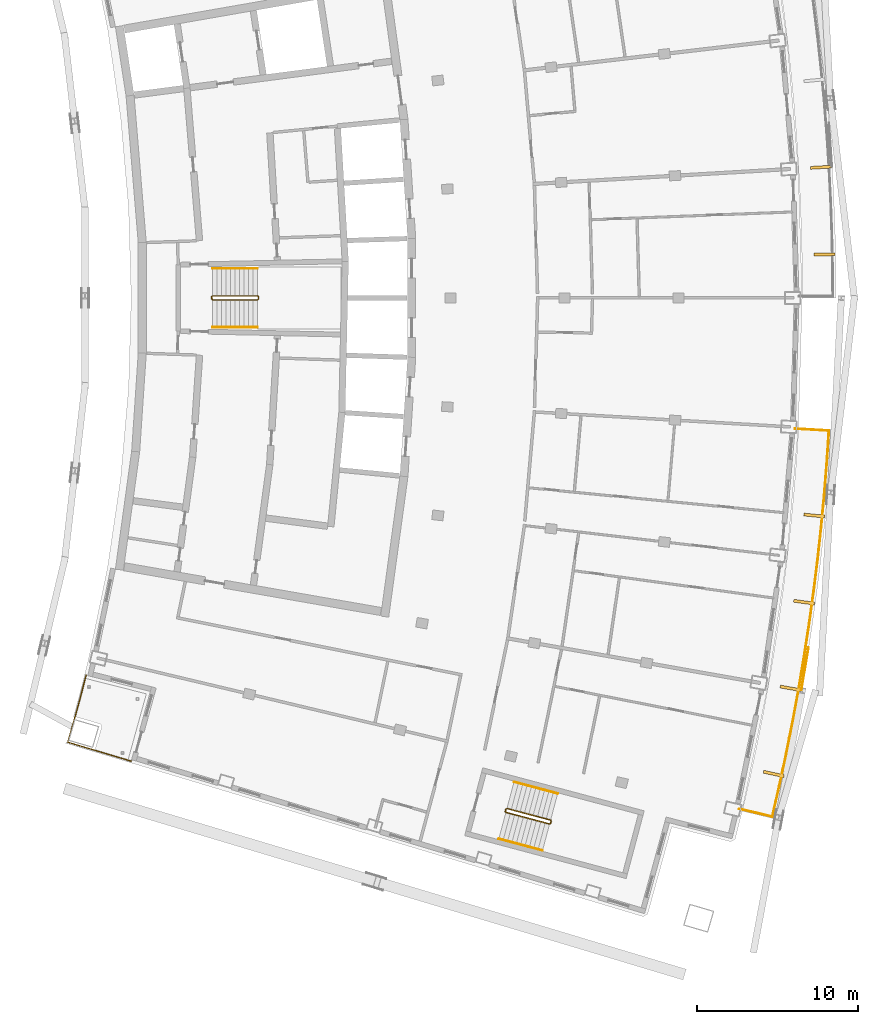
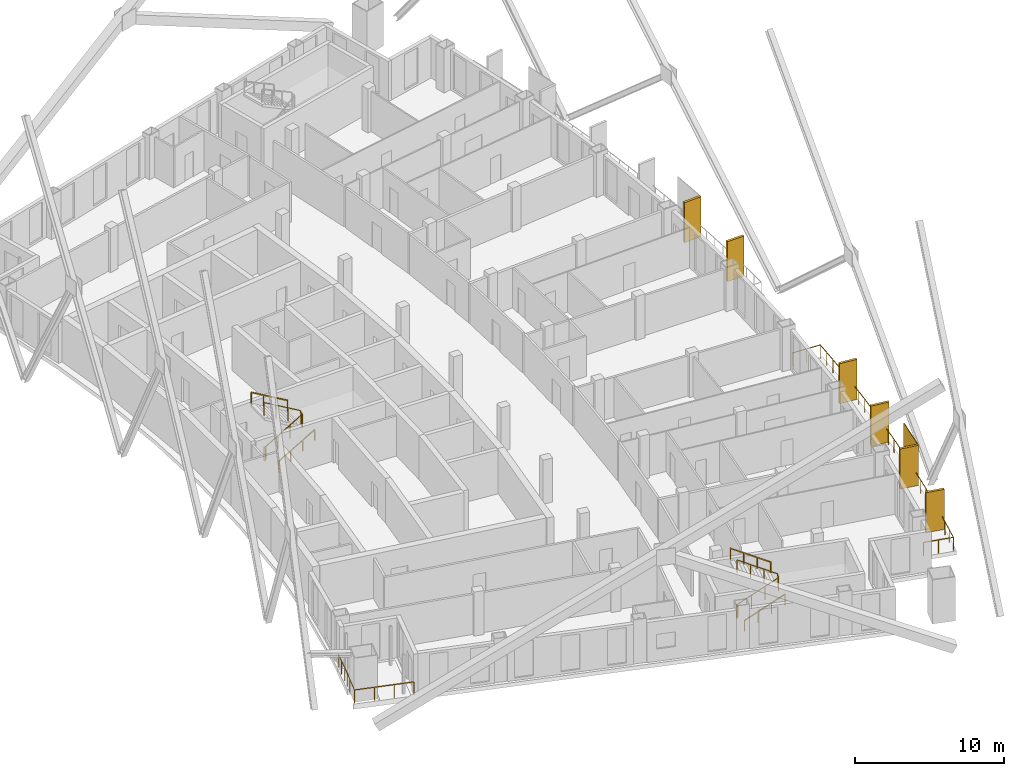
# One storey, part 15 of 16: 8 railings, 7 shading devices.
"""IFC4 building model written with IfcOpenShell, lengths in metres."""

from ifc_helpers import new_model, si_unit, direction, frame, origin, origin_with_axes, origin_2d, place, context, subcontext, project, spatial, rectangle, extrude, material, layer, layer_set, type_object, element, save


model = new_model("IFC4")

# Units and contexts
model_context = context("Model", 3, precision=1e-05, world=origin(), true_north=direction((0.0, 1.0)))
body_context = subcontext(model_context, "Body", "Model", "MODEL_VIEW")
ifc_project = project(units=[si_unit("LENGTHUNIT", "METRE"), si_unit("AREAUNIT", "SQUARE_METRE"), si_unit("VOLUMEUNIT", "CUBIC_METRE"), si_unit("PLANEANGLEUNIT", "RADIAN"), si_unit("MASSUNIT", "GRAM", prefix="KILO")], contexts=[model_context])

# Site, building, storey
site_placement = place(None, origin())
site = spatial("IfcSite", under=ifc_project, at=site_placement, CompositionType="ELEMENT")
building_placement = place(site_placement, origin())
building = spatial("IfcBuilding", under=site, at=building_placement, Name="Alderwake Tower", CompositionType="ELEMENT")
storey_placement = place(building_placement, frame((0.0, 0.0, 245.60009765625)))
storey = spatial("IfcBuildingStorey", under=building, at=storey_placement, Name="L60", CompositionType="ELEMENT", Elevation=245.60009765625)

# Railings
ifc_material_1 = material(Name="Stainless steel 316 rail and posts", Category="steel")
railing_type_1 = type_object("IfcRailingType", Name="Balcony guard 1100", PredefinedType="GUARDRAIL", material=ifc_material_1)
railing_1_placement = place(storey_placement, frame((53.69921875, 29.325927734375, 0.0)))
element("IfcRailing", 1, at=railing_1_placement, inside=storey, type_object=railing_type_1, Name="Guard BF03", PredefinedType="GUARDRAIL", context=body_context, shape_type="SweptSolid", body=[
    extrude(rectangle(XDim=0.048095703125, YDim=0.048095703125, at=origin_2d()), frame((0.0, 0.0, 1.076171875), z_axis=(0.973069996158, -0.230509831846, 0.0), x_axis=(0.230509831846, 0.973069996158, 0.0)), (0.0, 0.0, 1.0), 2.100341796875),
    extrude(rectangle(XDim=0.048095703125, YDim=0.048095703125, at=origin_2d()), frame((2.043701171875, -0.484130859375, 1.076171875), z_axis=(0.223633448533, 0.974673319988, 0.0), x_axis=(-0.974673319988, 0.223633448533, 0.0)), (0.0, 0.0, 1.0), 1.9345703125),
    extrude(rectangle(XDim=0.048095703125, YDim=0.048095703125, at=origin_2d()), frame((2.476318359375, 1.4013671875, 1.076171875), z_axis=(0.209897885741, 0.977723313398, 0.0), x_axis=(-0.977723313398, 0.209897885741, 0.0)), (0.0, 0.0, 1.0), 2.034423828125),
    extrude(rectangle(XDim=0.048095703125, YDim=0.048095703125, at=origin_2d()), frame((2.9033203125, 3.390380859375, 1.076171875), z_axis=(0.195631417955, 0.980677494546, 0.0), x_axis=(-0.980677494546, 0.195631417955, 0.0)), (0.0, 0.0, 1.0), 2.0341796875),
    extrude(rectangle(XDim=0.048095703125, YDim=0.048095703125, at=origin_2d()), frame((3.30126953125, 5.38525390625, 1.076171875), z_axis=(0.181324306286, 0.983423355402, 0.0), x_axis=(-0.983423355402, 0.181324306286, 0.0)), (0.0, 0.0, 1.0), 2.034423828125),
    extrude(rectangle(XDim=0.048095703125, YDim=0.048095703125, at=origin_2d()), frame((3.670166015625, 7.385986328125, 1.076171875), z_axis=(0.166928302152, 0.985969037009, 0.0), x_axis=(-0.985969037009, 0.166928302152, 0.0)), (0.0, 0.0, 1.0), 2.034423828125),
    extrude(rectangle(XDim=0.048095703125, YDim=0.048095703125, at=origin_2d()), frame((4.009765625, 9.391845703125, 1.076171875), z_axis=(0.152535132968, 0.988298048774, 0.0), x_axis=(-0.988298048774, 0.152535132968, 0.0)), (0.0, 0.0, 1.0), 2.034423828125),
    extrude(rectangle(XDim=0.048095703125, YDim=0.048095703125, at=origin_2d()), frame((4.320068359375, 11.40234375, 1.076171875), z_axis=(0.138127592806, 0.990414442597, 0.0), x_axis=(-0.990414442597, 0.138127592806, 0.0)), (0.0, 0.0, 1.0), 2.034423828125),
    extrude(rectangle(XDim=0.048095703125, YDim=0.048095703125, at=origin_2d()), frame((4.60107421875, 13.417236328125, 1.076171875), z_axis=(0.123606393187, 0.992331325497, 0.0), x_axis=(-0.992331325497, 0.123606393187, 0.0)), (0.0, 0.0, 1.0), 2.034423828125),
    extrude(rectangle(XDim=0.048095703125, YDim=0.048095703125, at=origin_2d()), frame((4.8525390625, 15.43603515625, 1.076171875), z_axis=(0.109087913088, 0.994032105728, 0.0), x_axis=(-0.994032105728, 0.109087913088, 0.0)), (0.0, 0.0, 1.0), 2.034423828125),
    extrude(rectangle(XDim=0.048095703125, YDim=0.048095703125, at=origin_2d()), frame((5.074462890625, 17.458251953125, 1.076171875), z_axis=(0.094690157844, 0.995506792547, 0.0), x_axis=(-0.995506792547, 0.094690157844, 0.0)), (0.0, 0.0, 1.0), 2.0341796875),
    extrude(rectangle(XDim=0.048095703125, YDim=0.048095703125, at=origin_2d()), frame((5.26708984375, 19.4833984375, 1.076171875), z_axis=(0.080164954989, 0.996781610982, 0.0), x_axis=(-0.996781610982, 0.080164954989, 0.0)), (0.0, 0.0, 1.0), 2.034423828125),
    extrude(rectangle(XDim=0.048095703125, YDim=0.048095703125, at=origin_2d()), frame((5.43017578125, 21.51123046875, 1.076171875), z_axis=(0.065882355364, 0.997827397525, 0.0), x_axis=(-0.997827397525, 0.065882355364, 0.0)), (0.0, 0.0, 1.0), 1.934326171875),
    extrude(rectangle(XDim=0.048095703125, YDim=0.048095703125, at=origin_2d()), frame((5.5576171875, 23.44140625, 1.076171875), z_axis=(-0.998261521477, 0.05894009449, 0.0), x_axis=(-0.05894009449, -0.998261521477, 0.0)), (0.0, 0.0, 1.0), 2.10009765625),
    extrude(rectangle(XDim=0.0419921875, YDim=0.0419921875, at=origin_2d()), frame((0.0, 0.0, 0.0), z_axis=(0.0, 0.0, 1.0), x_axis=(0.973069996158, -0.230509831846, 0.0)), (0.0, 0.0, 1.0), 1.052001953125),
    extrude(rectangle(XDim=0.0419921875, YDim=0.0419921875, at=origin_2d()), frame((1.02197265625, -0.2421875, 0.0), z_axis=(0.0, 0.0, 1.0), x_axis=(0.973069996158, -0.230509831846, 0.0)), (0.0, 0.0, 1.0), 1.052001953125),
    extrude(rectangle(XDim=0.0419921875, YDim=0.0419921875, at=origin_2d()), frame((2.043701171875, -0.484130859375, 0.0), z_axis=(0.0, 0.0, 1.0), x_axis=(0.223633448533, 0.974673319988, 0.0)), (0.0, 0.0, 1.0), 1.052001953125),
    extrude(rectangle(XDim=0.0419921875, YDim=0.0419921875, at=origin_2d()), frame((2.260009765625, 0.45849609375, 0.0), z_axis=(0.0, 0.0, 1.0), x_axis=(0.223633448533, 0.974673319988, 0.0)), (0.0, 0.0, 1.0), 1.052001953125),
    extrude(rectangle(XDim=0.0419921875, YDim=0.0419921875, at=origin_2d()), frame((2.476318359375, 1.4013671875, 0.0), z_axis=(0.0, 0.0, 1.0), x_axis=(0.209897885741, 0.977723313398, 0.0)), (0.0, 0.0, 1.0), 1.052001953125),
    extrude(rectangle(XDim=0.0419921875, YDim=0.0419921875, at=origin_2d()), frame((2.68994140625, 2.39599609375, 0.0), z_axis=(0.0, 0.0, 1.0), x_axis=(0.209897885741, 0.977723313398, 0.0)), (0.0, 0.0, 1.0), 1.052001953125),
    extrude(rectangle(XDim=0.0419921875, YDim=0.0419921875, at=origin_2d()), frame((2.9033203125, 3.390380859375, 0.0), z_axis=(0.0, 0.0, 1.0), x_axis=(0.195631417955, 0.980677494546, 0.0)), (0.0, 0.0, 1.0), 1.052001953125),
    extrude(rectangle(XDim=0.0419921875, YDim=0.0419921875, at=origin_2d()), frame((3.102294921875, 4.3876953125, 0.0), z_axis=(0.0, 0.0, 1.0), x_axis=(0.195631417955, 0.980677494546, 0.0)), (0.0, 0.0, 1.0), 1.052001953125),
    extrude(rectangle(XDim=0.0419921875, YDim=0.0419921875, at=origin_2d()), frame((3.30126953125, 5.38525390625, 0.0), z_axis=(0.0, 0.0, 1.0), x_axis=(0.181324306286, 0.983423355402, 0.0)), (0.0, 0.0, 1.0), 1.052001953125),
    extrude(rectangle(XDim=0.0419921875, YDim=0.0419921875, at=origin_2d()), frame((3.48583984375, 6.3857421875, 0.0), z_axis=(0.0, 0.0, 1.0), x_axis=(0.181324306286, 0.983423355402, 0.0)), (0.0, 0.0, 1.0), 1.052001953125),
    extrude(rectangle(XDim=0.0419921875, YDim=0.0419921875, at=origin_2d()), frame((3.670166015625, 7.385986328125, 0.0), z_axis=(0.0, 0.0, 1.0), x_axis=(0.166928302152, 0.985969037009, 0.0)), (0.0, 0.0, 1.0), 1.052001953125),
    extrude(rectangle(XDim=0.0419921875, YDim=0.0419921875, at=origin_2d()), frame((3.83984375, 8.388916015625, 0.0), z_axis=(0.0, 0.0, 1.0), x_axis=(0.166928302152, 0.985969037009, 0.0)), (0.0, 0.0, 1.0), 1.052001953125),
    extrude(rectangle(XDim=0.0419921875, YDim=0.0419921875, at=origin_2d()), frame((4.009765625, 9.391845703125, 0.0), z_axis=(0.0, 0.0, 1.0), x_axis=(0.152535132968, 0.988298048774, 0.0)), (0.0, 0.0, 1.0), 1.052001953125),
    extrude(rectangle(XDim=0.0419921875, YDim=0.0419921875, at=origin_2d()), frame((4.1650390625, 10.39697265625, 0.0), z_axis=(0.0, 0.0, 1.0), x_axis=(0.152535132968, 0.988298048774, 0.0)), (0.0, 0.0, 1.0), 1.052001953125),
    extrude(rectangle(XDim=0.0419921875, YDim=0.0419921875, at=origin_2d()), frame((4.320068359375, 11.40234375, 0.0), z_axis=(0.0, 0.0, 1.0), x_axis=(0.138127592806, 0.990414442597, 0.0)), (0.0, 0.0, 1.0), 1.052001953125),
    extrude(rectangle(XDim=0.0419921875, YDim=0.0419921875, at=origin_2d()), frame((4.46044921875, 12.40966796875, 0.0), z_axis=(0.0, 0.0, 1.0), x_axis=(0.138127592806, 0.990414442597, 0.0)), (0.0, 0.0, 1.0), 1.052001953125),
    extrude(rectangle(XDim=0.0419921875, YDim=0.0419921875, at=origin_2d()), frame((4.60107421875, 13.417236328125, 0.0), z_axis=(0.0, 0.0, 1.0), x_axis=(0.123606393187, 0.992331325497, 0.0)), (0.0, 0.0, 1.0), 1.052001953125),
    extrude(rectangle(XDim=0.0419921875, YDim=0.0419921875, at=origin_2d()), frame((4.726806640625, 14.4267578125, 0.0), z_axis=(0.0, 0.0, 1.0), x_axis=(0.123606393187, 0.992331325497, 0.0)), (0.0, 0.0, 1.0), 1.052001953125),
    extrude(rectangle(XDim=0.0419921875, YDim=0.0419921875, at=origin_2d()), frame((4.8525390625, 15.43603515625, 0.0), z_axis=(0.0, 0.0, 1.0), x_axis=(0.109087913088, 0.994032105728, 0.0)), (0.0, 0.0, 1.0), 1.052001953125),
    extrude(rectangle(XDim=0.0419921875, YDim=0.0419921875, at=origin_2d()), frame((4.96337890625, 16.447265625, 0.0), z_axis=(0.0, 0.0, 1.0), x_axis=(0.109087913088, 0.994032105728, 0.0)), (0.0, 0.0, 1.0), 1.052001953125),
    extrude(rectangle(XDim=0.0419921875, YDim=0.0419921875, at=origin_2d()), frame((5.074462890625, 17.458251953125, 0.0), z_axis=(0.0, 0.0, 1.0), x_axis=(0.094690157844, 0.995506792547, 0.0)), (0.0, 0.0, 1.0), 1.052001953125),
    extrude(rectangle(XDim=0.0419921875, YDim=0.0419921875, at=origin_2d()), frame((5.1708984375, 18.470703125, 0.0), z_axis=(0.0, 0.0, 1.0), x_axis=(0.094690157844, 0.995506792547, 0.0)), (0.0, 0.0, 1.0), 1.052001953125),
    extrude(rectangle(XDim=0.0419921875, YDim=0.0419921875, at=origin_2d()), frame((5.26708984375, 19.4833984375, 0.0), z_axis=(0.0, 0.0, 1.0), x_axis=(0.080164954989, 0.996781610982, 0.0)), (0.0, 0.0, 1.0), 1.052001953125),
    extrude(rectangle(XDim=0.0419921875, YDim=0.0419921875, at=origin_2d()), frame((5.3486328125, 20.497314453125, 0.0), z_axis=(0.0, 0.0, 1.0), x_axis=(0.080164954989, 0.996781610982, 0.0)), (0.0, 0.0, 1.0), 1.052001953125),
    extrude(rectangle(XDim=0.0419921875, YDim=0.0419921875, at=origin_2d()), frame((5.43017578125, 21.51123046875, 0.0), z_axis=(0.0, 0.0, 1.0), x_axis=(0.065882355364, 0.997827397525, 0.0)), (0.0, 0.0, 1.0), 1.052001953125),
    extrude(rectangle(XDim=0.0419921875, YDim=0.0419921875, at=origin_2d()), frame((5.493896484375, 22.476318359375, 0.0), z_axis=(0.0, 0.0, 1.0), x_axis=(0.065882355364, 0.997827397525, 0.0)), (0.0, 0.0, 1.0), 1.052001953125),
    extrude(rectangle(XDim=0.0419921875, YDim=0.0419921875, at=origin_2d()), frame((5.5576171875, 23.44140625, 0.0), z_axis=(0.0, 0.0, 1.0), x_axis=(-0.998261521477, 0.05894009449, 0.0)), (0.0, 0.0, 1.0), 1.052001953125),
    extrude(rectangle(XDim=0.0419921875, YDim=0.0419921875, at=origin_2d()), frame((4.50927734375, 23.50341796875, 0.0), z_axis=(0.0, 0.0, 1.0), x_axis=(-0.998261521477, 0.05894009449, 0.0)), (0.0, 0.0, 1.0), 1.052001953125),
    extrude(rectangle(XDim=0.0419921875, YDim=0.0419921875, at=origin_2d()), frame((3.461181640625, 23.565185546875, 0.0), z_axis=(0.0, 0.0, 1.0), x_axis=(-0.998261521477, 0.05894009449, 0.0)), (0.0, 0.0, 1.0), 1.052001953125),
])
railing_2_placement = place(storey_placement, frame((13.210693359375, 37.612548828125, 0.0)))
element("IfcRailing", 2, at=railing_2_placement, inside=storey, type_object=railing_type_1, Name="Guard terrace RS", PredefinedType="GUARDRAIL", context=body_context, shape_type="SweptSolid", body=[
    extrude(rectangle(XDim=0.048095703125, YDim=0.048095703125, at=origin_2d()), frame((0.0, 0.0, 1.076171875), z_axis=(-0.251385381433, -0.967887075026, 0.0), x_axis=(0.967887075026, -0.251385381433, 0.0)), (0.0, 0.0, 1.0), 1.6015625),
    extrude(rectangle(XDim=0.048095703125, YDim=0.048095703125, at=origin_2d()), frame((-0.402587890625, -1.550048828125, 1.076171875), z_axis=(-0.266520638672, -0.963829211615, 0.0), x_axis=(0.963829211615, -0.266520638672, 0.0)), (0.0, 0.0, 1.0), 1.401611328125),
    extrude(rectangle(XDim=0.048095703125, YDim=0.048095703125, at=origin_2d()), frame((-0.776123046875, -2.90087890625, 1.076171875), z_axis=(-0.280093650878, -0.959972680204, 0.0), x_axis=(0.959972680204, -0.280093650878, 0.0)), (0.0, 0.0, 1.0), 1.30126953125),
    extrude(rectangle(XDim=0.048095703125, YDim=0.048095703125, at=origin_2d()), frame((-1.140625, -4.150146484375, 1.076171875), z_axis=(0.958066871889, -0.286544706789, 0.0), x_axis=(0.286544706789, 0.958066871889, 0.0)), (0.0, 0.0, 1.0), 4.099853515625),
    extrude(rectangle(XDim=0.0419921875, YDim=0.0419921875, at=origin_2d()), frame((0.0, 0.0, 0.0), z_axis=(0.0, 0.0, 1.0), x_axis=(-0.251385381433, -0.967887075026, 0.0)), (0.0, 0.0, 1.0), 1.052001953125),
    extrude(rectangle(XDim=0.0419921875, YDim=0.0419921875, at=origin_2d()), frame((-0.201171875, -0.77490234375, 0.0), z_axis=(0.0, 0.0, 1.0), x_axis=(-0.251385381433, -0.967887075026, 0.0)), (0.0, 0.0, 1.0), 1.052001953125),
    extrude(rectangle(XDim=0.0419921875, YDim=0.0419921875, at=origin_2d()), frame((-0.402587890625, -1.550048828125, 0.0), z_axis=(0.0, 0.0, 1.0), x_axis=(-0.266520638672, -0.963829211615, 0.0)), (0.0, 0.0, 1.0), 1.052001953125),
    extrude(rectangle(XDim=0.0419921875, YDim=0.0419921875, at=origin_2d()), frame((-0.58935546875, -2.2255859375, 0.0), z_axis=(0.0, 0.0, 1.0), x_axis=(-0.266520638672, -0.963829211615, 0.0)), (0.0, 0.0, 1.0), 1.052001953125),
    extrude(rectangle(XDim=0.0419921875, YDim=0.0419921875, at=origin_2d()), frame((-0.776123046875, -2.90087890625, 0.0), z_axis=(0.0, 0.0, 1.0), x_axis=(-0.280093650878, -0.959972680204, 0.0)), (0.0, 0.0, 1.0), 1.052001953125),
    extrude(rectangle(XDim=0.0419921875, YDim=0.0419921875, at=origin_2d()), frame((-1.140625, -4.150146484375, 0.0), z_axis=(0.0, 0.0, 1.0), x_axis=(0.958066871889, -0.286544706789, 0.0)), (0.0, 0.0, 1.0), 1.052001953125),
    extrude(rectangle(XDim=0.0419921875, YDim=0.0419921875, at=origin_2d()), frame((0.168701171875, -4.541748046875, 0.0), z_axis=(0.0, 0.0, 1.0), x_axis=(0.958066871889, -0.286544706789, 0.0)), (0.0, 0.0, 1.0), 1.052001953125),
    extrude(rectangle(XDim=0.0419921875, YDim=0.0419921875, at=origin_2d()), frame((1.47802734375, -4.933349609375, 0.0), z_axis=(0.0, 0.0, 1.0), x_axis=(0.958066871889, -0.286544706789, 0.0)), (0.0, 0.0, 1.0), 1.052001953125),
    extrude(rectangle(XDim=0.0419921875, YDim=0.0419921875, at=origin_2d()), frame((2.787353515625, -5.324951171875, 0.0), z_axis=(0.0, 0.0, 1.0), x_axis=(0.958066871889, -0.286544706789, 0.0)), (0.0, 0.0, 1.0), 1.052001953125),
])

# Shading devices
ifc_material_2 = material(Name="Bronze anodised aluminium", Category="aluminium")
ifc_layer_1 = layer(ifc_material_2, 0.179931640625)
ifc_layer_set_1 = layer_set([ifc_layer_1], Name="Facade fin 1300")
shading_device_type_1 = type_object("IfcShadingDeviceType", Name="Facade fin 1300", PredefinedType="USERDEFINED", material=ifc_layer_set_1)
for number, where, z_axis, x_axis, name in (
    (3, (55.832275390625, 31.494140625, 0.0), (0.0, 0.0, 1.0), (0.977210363881, -0.212273184185, 0.0), "Fin"),
    (4, (56.876953125, 36.799072265625, 0.0), (0.0, 0.0, 1.0), (0.984726421654, -0.174108800747, 0.0), "Fin"),
    (5, (57.714599609375, 42.140380859375, 0.0), (0.0, 0.0, 1.0), (0.990752577235, -0.135680988728, 0.0), "Fin"),
    (6, (58.343994140625, 47.510498046875, 0.0), (0.0, 0.0, 1.0), (0.995279882363, -0.097046152751, 0.0), "Fin"),
    (7, (58.973876953125, 63.6962890625, 0.0), (0.0, 0.0, 1.0), (0.999811838809, 0.019398117887, 0.0), "Fin"),
    (8, (58.763916015625, 69.09912109375, 0.0), (0.0, 0.0, 1.0), (0.998301080988, 0.058266214038, 0.0), "Fin"),
):
    element("IfcShadingDevice", number, at=place(storey_placement, frame(where, z_axis=z_axis, x_axis=x_axis)), inside=storey, type_object=shading_device_type_1, Name=name, ObjectType="FIN", PredefinedType="USERDEFINED", context=body_context, shape_type="SweptSolid", body=[
        extrude(rectangle(XDim=1.300048828125, YDim=0.179931640625, at=origin_2d()), origin(), (0.0, 0.0, 1.0), 3.280029296875),
    ])
ifc_material_3 = material(Name="Perforated bronze anodised aluminium", Category="aluminium")
ifc_layer_2 = layer(ifc_material_3, 0.050048828125)
ifc_layer_set_2 = layer_set([ifc_layer_2], Name="Perforated screen panel")
shading_device_type_2 = type_object("IfcShadingDeviceType", Name="Perforated screen panel", PredefinedType="USERDEFINED", material=ifc_layer_set_2)
shading_device_placement = place(storey_placement, frame((57.7646484375, 38.017822265625, 0.0), z_axis=(0.0, 0.0, 1.0), x_axis=(0.986369013299, -0.164548380739, 0.0)))
element("IfcShadingDevice", 9, at=shading_device_placement, inside=storey, type_object=shading_device_type_2, Name="Screen panel", ObjectType="SCREEN", PredefinedType="USERDEFINED", context=body_context, shape_type="SweptSolid", body=[
    extrude(rectangle(XDim=0.050048828125, YDim=2.709716796875, at=origin_2d()), origin(), (0.0, 0.0, 1.0), 3.280029296875),
])

# Railings
ifc_material_4 = material(Name="Stainless steel guard", Category="steel")
railing_type_2 = type_object("IfcRailingType", Name="Stair guard 1100", PredefinedType="GUARDRAIL", material=ifc_material_4)
railing_3_placement = place(storey_placement, frame((20.989990234375, 60.925048828125, 0.0)))
element("IfcRailing", 10, at=railing_3_placement, inside=storey, type_object=railing_type_2, Name="L60 ST-B stair guard 1", PredefinedType="GUARDRAIL", context=body_context, shape_type="SweptSolid", body=[
    extrude(rectangle(XDim=0.048095703125, YDim=0.048095703125, at=origin_2d()), frame((0.0, 0.0, 1.076171875), z_axis=(0.0, 1.0, 0.0), x_axis=(-1.0, 0.0, 0.0)), (0.0, 0.0, 1.0), 0.14990234375),
    extrude(rectangle(XDim=0.048095703125, YDim=0.048095703125, at=origin_2d()), frame((0.0, 0.14990234375, 1.076171875), z_axis=(0.190199549216, -0.759870394187, 0.621627795), x_axis=(0.970072785993, 0.242814311512, 0.0)), (0.0, 0.0, 1.0), 0.26318359375),
    extrude(rectangle(XDim=0.048095703125, YDim=0.048095703125, at=origin_2d()), frame((0.050048828125, -0.050048828125, 1.23974609375), z_axis=(0.863393664356, 0.0, 0.504530851732), x_axis=(0.0, 1.0, 0.0)), (0.0, 0.0, 1.0), 3.2431640625),
    extrude(rectangle(XDim=0.048095703125, YDim=0.048095703125, at=origin_2d()), frame((2.85009765625, -0.050048828125, 2.8759765625), z_axis=(0.705375805398, 0.708833529934, 0.0), x_axis=(-0.708833529934, 0.705375805398, 0.0)), (0.0, 0.0, 1.0), 0.070556640625),
    extrude(rectangle(XDim=0.048095703125, YDim=0.048095703125, at=origin_2d()), frame((2.89990234375, 0.0, 2.8759765625), z_axis=(0.0, 1.0, 0.0), x_axis=(-1.0, 0.0, 0.0)), (0.0, 0.0, 1.0), 0.14990234375),
    extrude(rectangle(XDim=0.048095703125, YDim=0.048095703125, at=origin_2d()), frame((2.89990234375, 0.14990234375, 2.8759765625), z_axis=(-0.279194930351, 0.280563532951, 0.91833234444), x_axis=(-0.708833529934, -0.705375805398, 0.0)), (0.0, 0.0, 1.0), 0.178466796875),
    extrude(rectangle(XDim=0.048095703125, YDim=0.048095703125, at=origin_2d()), frame((2.85009765625, 0.199951171875, 3.03955078125), z_axis=(-0.863393664356, 0.0, 0.504530851732), x_axis=(0.0, -1.0, 0.0)), (0.0, 0.0, 1.0), 3.2431640625),
    extrude(rectangle(XDim=0.0419921875, YDim=0.0419921875, at=origin_2d()), frame((0.0, 0.0, 0.0), z_axis=(0.0, 0.0, 1.0), x_axis=(0.0, 1.0, 0.0)), (0.0, 0.0, 1.0), 1.052001953125),
    extrude(rectangle(XDim=0.0419921875, YDim=0.0419921875, at=origin_2d()), frame((0.0, 0.14990234375, 0.0), z_axis=(0.0, 0.0, 1.0), x_axis=(0.242814311512, -0.970072785993, 0.0)), (0.0, 0.0, 1.0), 1.052001953125),
    extrude(rectangle(XDim=0.0419921875, YDim=0.0419921875, at=origin_2d()), frame((0.050048828125, -0.050048828125, 0.16357421875), z_axis=(0.0, 0.0, 1.0), x_axis=(1.0, 0.0, 0.0)), (0.0, 0.0, 1.0), 1.052001953125),
    extrude(rectangle(XDim=0.0419921875, YDim=0.0419921875, at=origin_2d()), frame((0.9833984375, -0.050048828125, 0.708984375), z_axis=(0.0, 0.0, 1.0), x_axis=(1.0, 0.0, 0.0)), (0.0, 0.0, 1.0), 1.052001953125),
    extrude(rectangle(XDim=0.0419921875, YDim=0.0419921875, at=origin_2d()), frame((1.916748046875, -0.050048828125, 1.25439453125), z_axis=(0.0, 0.0, 1.0), x_axis=(1.0, 0.0, 0.0)), (0.0, 0.0, 1.0), 1.052001953125),
    extrude(rectangle(XDim=0.0419921875, YDim=0.0419921875, at=origin_2d()), frame((2.85009765625, -0.050048828125, 1.7998046875), z_axis=(0.0, 0.0, 1.0), x_axis=(0.705375805398, 0.708833529934, 0.0)), (0.0, 0.0, 1.0), 1.052001953125),
    extrude(rectangle(XDim=0.0419921875, YDim=0.0419921875, at=origin_2d()), frame((2.89990234375, 0.0, 1.7998046875), z_axis=(0.0, 0.0, 1.0), x_axis=(0.0, 1.0, 0.0)), (0.0, 0.0, 1.0), 1.052001953125),
    extrude(rectangle(XDim=0.0419921875, YDim=0.0419921875, at=origin_2d()), frame((2.89990234375, 0.14990234375, 1.7998046875), z_axis=(0.0, 0.0, 1.0), x_axis=(-0.705375805398, 0.708833529934, 0.0)), (0.0, 0.0, 1.0), 1.052001953125),
    extrude(rectangle(XDim=0.0419921875, YDim=0.0419921875, at=origin_2d()), frame((2.85009765625, 0.199951171875, 1.963623046875), z_axis=(0.0, 0.0, 1.0), x_axis=(-1.0, 0.0, 0.0)), (0.0, 0.0, 1.0), 1.052001953125),
    extrude(rectangle(XDim=0.0419921875, YDim=0.0419921875, at=origin_2d()), frame((1.916748046875, 0.199951171875, 2.509033203125), z_axis=(0.0, 0.0, 1.0), x_axis=(-1.0, 0.0, 0.0)), (0.0, 0.0, 1.0), 1.052001953125),
    extrude(rectangle(XDim=0.0419921875, YDim=0.0419921875, at=origin_2d()), frame((0.9833984375, 0.199951171875, 3.054443359375), z_axis=(0.0, 0.0, 1.0), x_axis=(-1.0, 0.0, 0.0)), (0.0, 0.0, 1.0), 1.052001953125),
    extrude(rectangle(XDim=0.0419921875, YDim=0.0419921875, at=origin_2d()), frame((0.050048828125, 0.199951171875, 3.599853515625), z_axis=(0.0, 0.0, 1.0), x_axis=(-1.0, 0.0, 0.0)), (0.0, 0.0, 1.0), 1.052001953125),
])
railing_4_placement = place(storey_placement, frame((39.1943359375, 29.17431640625, 0.0)))
element("IfcRailing", 11, at=railing_4_placement, inside=storey, type_object=railing_type_2, Name="L60 ST-C stair guard 1", PredefinedType="GUARDRAIL", context=body_context, shape_type="SweptSolid", body=[
    extrude(rectangle(XDim=0.048095703125, YDim=0.048095703125, at=origin_2d()), frame((0.0, 0.0, 1.076171875), z_axis=(0.257459803502, 0.966289009345, 0.0), x_axis=(-0.966289009345, 0.257459803502, 0.0)), (0.0, 0.0, 1.0), 0.14990234375),
    extrude(rectangle(XDim=0.048095703125, YDim=0.048095703125, at=origin_2d()), frame((0.03857421875, 0.144775390625, 1.076171875), z_axis=(-0.012062893862, -0.783160186125, 0.621702991355), x_axis=(0.999881397308, -0.015401016783, 0.0)), (0.0, 0.0, 1.0), 0.26318359375),
    extrude(rectangle(XDim=0.048095703125, YDim=0.048095703125, at=origin_2d()), frame((0.035400390625, -0.061279296875, 1.23974609375), z_axis=(0.834313512087, -0.222222637163, 0.504517653885), x_axis=(0.257380452725, 0.966310148221, 0.0)), (0.0, 0.0, 1.0), 3.2431640625),
    extrude(rectangle(XDim=0.048095703125, YDim=0.048095703125, at=origin_2d()), frame((2.7412109375, -0.781982421875, 2.8759765625), z_axis=(0.865031189262, 0.501718089772, 0.0), x_axis=(-0.501718089772, 0.865031189262, 0.0)), (0.0, 0.0, 1.0), 0.070556640625),
    extrude(rectangle(XDim=0.048095703125, YDim=0.048095703125, at=origin_2d()), frame((2.80224609375, -0.74658203125, 2.8759765625), z_axis=(0.257055032184, 0.966396766566, 0.0), x_axis=(-0.966396766566, 0.257055032184, 0.0)), (0.0, 0.0, 1.0), 0.150146484375),
    extrude(rectangle(XDim=0.048095703125, YDim=0.048095703125, at=origin_2d()), frame((2.8408203125, -0.6015625, 2.8759765625), z_axis=(-0.198375862152, 0.343395457933, 0.918001403477), x_axis=(-0.865898279276, -0.500220121494, 0.0)), (0.0, 0.0, 1.0), 0.178466796875),
    extrude(rectangle(XDim=0.048095703125, YDim=0.048095703125, at=origin_2d()), frame((2.805419921875, -0.540283203125, 3.03955078125), z_axis=(-0.834290631165, 0.222236594766, 0.504549342183), x_axis=(-0.257402139082, -0.966304371715, 0.0)), (0.0, 0.0, 1.0), 3.242919921875),
    extrude(rectangle(XDim=0.0419921875, YDim=0.0419921875, at=origin_2d()), frame((0.0, 0.0, 0.0), z_axis=(0.0, 0.0, 1.0), x_axis=(0.257459803502, 0.966289009345, 0.0)), (0.0, 0.0, 1.0), 1.052001953125),
    extrude(rectangle(XDim=0.0419921875, YDim=0.0419921875, at=origin_2d()), frame((0.03857421875, 0.144775390625, 0.0), z_axis=(0.0, 0.0, 1.0), x_axis=(-0.015401016783, -0.999881397308, 0.0)), (0.0, 0.0, 1.0), 1.052001953125),
    extrude(rectangle(XDim=0.0419921875, YDim=0.0419921875, at=origin_2d()), frame((0.035400390625, -0.061279296875, 0.16357421875), z_axis=(0.0, 0.0, 1.0), x_axis=(0.966310148221, -0.257380452725, 0.0)), (0.0, 0.0, 1.0), 1.052001953125),
    extrude(rectangle(XDim=0.0419921875, YDim=0.0419921875, at=origin_2d()), frame((0.937255859375, -0.301513671875, 0.708984375), z_axis=(0.0, 0.0, 1.0), x_axis=(0.966310148221, -0.257380452725, 0.0)), (0.0, 0.0, 1.0), 1.052001953125),
    extrude(rectangle(XDim=0.0419921875, YDim=0.0419921875, at=origin_2d()), frame((1.83935546875, -0.541748046875, 1.25439453125), z_axis=(0.0, 0.0, 1.0), x_axis=(0.966310148221, -0.257380452725, 0.0)), (0.0, 0.0, 1.0), 1.052001953125),
    extrude(rectangle(XDim=0.0419921875, YDim=0.0419921875, at=origin_2d()), frame((2.7412109375, -0.781982421875, 1.7998046875), z_axis=(0.0, 0.0, 1.0), x_axis=(0.865031189262, 0.501718089772, 0.0)), (0.0, 0.0, 1.0), 1.052001953125),
    extrude(rectangle(XDim=0.0419921875, YDim=0.0419921875, at=origin_2d()), frame((2.80224609375, -0.74658203125, 1.7998046875), z_axis=(0.0, 0.0, 1.0), x_axis=(0.257055032184, 0.966396766566, 0.0)), (0.0, 0.0, 1.0), 1.052001953125),
    extrude(rectangle(XDim=0.0419921875, YDim=0.0419921875, at=origin_2d()), frame((2.8408203125, -0.6015625, 1.7998046875), z_axis=(0.0, 0.0, 1.0), x_axis=(-0.500220121494, 0.865898279276, 0.0)), (0.0, 0.0, 1.0), 1.052001953125),
    extrude(rectangle(XDim=0.0419921875, YDim=0.0419921875, at=origin_2d()), frame((2.805419921875, -0.540283203125, 1.963623046875), z_axis=(0.0, 0.0, 1.0), x_axis=(-0.966304371715, 0.257402139082, 0.0)), (0.0, 0.0, 1.0), 1.052001953125),
    extrude(rectangle(XDim=0.0419921875, YDim=0.0419921875, at=origin_2d()), frame((1.903564453125, -0.300048828125, 2.509033203125), z_axis=(0.0, 0.0, 1.0), x_axis=(-0.966304371715, 0.257402139082, 0.0)), (0.0, 0.0, 1.0), 1.052001953125),
    extrude(rectangle(XDim=0.0419921875, YDim=0.0419921875, at=origin_2d()), frame((1.001708984375, -0.059814453125, 3.054443359375), z_axis=(0.0, 0.0, 1.0), x_axis=(-0.966304371715, 0.257402139082, 0.0)), (0.0, 0.0, 1.0), 1.052001953125),
    extrude(rectangle(XDim=0.0419921875, YDim=0.0419921875, at=origin_2d()), frame((0.099853515625, 0.180419921875, 3.599853515625), z_axis=(0.0, 0.0, 1.0), x_axis=(-0.966304371715, 0.257402139082, 0.0)), (0.0, 0.0, 1.0), 1.052001953125),
])
ifc_material_5 = material(Name="Stainless steel handrail", Category="steel")
railing_type_3 = type_object("IfcRailingType", Name="Stair handrail 900", PredefinedType="HANDRAIL", material=ifc_material_5)
railing_5_placement = place(storey_placement, frame((21.0400390625, 59.175048828125, 0.16357421875)))
element("IfcRailing", 12, at=railing_5_placement, inside=storey, type_object=railing_type_3, Name="L60 ST-B stair handrail 1", PredefinedType="HANDRAIL", context=body_context, shape_type="SweptSolid", body=[
    extrude(rectangle(XDim=0.048095703125, YDim=0.048095703125, at=origin_2d()), frame((0.0, 0.0, 0.8759765625), z_axis=(0.863393664356, 0.0, 0.504530851732), x_axis=(0.0, 1.0, 0.0)), (0.0, 0.0, 1.0), 3.2431640625),
    extrude(rectangle(XDim=0.0419921875, YDim=0.0419921875, at=origin_2d()), origin_with_axes(), (0.0, 0.0, 1.0), 0.851806640625),
    extrude(rectangle(XDim=0.0419921875, YDim=0.0419921875, at=origin_2d()), frame((0.933349609375, 0.0, 0.54541015625), z_axis=(0.0, 0.0, 1.0), x_axis=(1.0, 0.0, 0.0)), (0.0, 0.0, 1.0), 0.851806640625),
    extrude(rectangle(XDim=0.0419921875, YDim=0.0419921875, at=origin_2d()), frame((1.86669921875, 0.0, 1.0908203125), z_axis=(0.0, 0.0, 1.0), x_axis=(1.0, 0.0, 0.0)), (0.0, 0.0, 1.0), 0.851806640625),
    extrude(rectangle(XDim=0.0419921875, YDim=0.0419921875, at=origin_2d()), frame((2.800048828125, 0.0, 1.63623046875), z_axis=(0.0, 0.0, 1.0), x_axis=(1.0, 0.0, 0.0)), (0.0, 0.0, 1.0), 0.851806640625),
])
railing_6_placement = place(storey_placement, frame((23.840087890625, 62.824951171875, 1.963623046875)))
element("IfcRailing", 13, at=railing_6_placement, inside=storey, type_object=railing_type_3, Name="L60 ST-B stair handrail 2", PredefinedType="HANDRAIL", context=body_context, shape_type="SweptSolid", body=[
    extrude(rectangle(XDim=0.048095703125, YDim=0.048095703125, at=origin_2d()), frame((0.0, 0.0, 0.8759765625), z_axis=(-0.863393664356, 0.0, 0.504530851732), x_axis=(0.0, -1.0, 0.0)), (0.0, 0.0, 1.0), 3.2431640625),
    extrude(rectangle(XDim=0.0419921875, YDim=0.0419921875, at=origin_2d()), frame((0.0, 0.0, 0.0), z_axis=(0.0, 0.0, 1.0), x_axis=(-1.0, 0.0, 0.0)), (0.0, 0.0, 1.0), 0.851806640625),
    extrude(rectangle(XDim=0.0419921875, YDim=0.0419921875, at=origin_2d()), frame((-0.933349609375, 0.0, 0.54541015625), z_axis=(0.0, 0.0, 1.0), x_axis=(-1.0, 0.0, 0.0)), (0.0, 0.0, 1.0), 0.851806640625),
    extrude(rectangle(XDim=0.0419921875, YDim=0.0419921875, at=origin_2d()), frame((-1.86669921875, 0.0, 1.0908203125), z_axis=(0.0, 0.0, 1.0), x_axis=(-1.0, 0.0, 0.0)), (0.0, 0.0, 1.0), 0.851806640625),
    extrude(rectangle(XDim=0.0419921875, YDim=0.0419921875, at=origin_2d()), frame((-2.800048828125, 0.0, 1.63623046875), z_axis=(0.0, 0.0, 1.0), x_axis=(-1.0, 0.0, 0.0)), (0.0, 0.0, 1.0), 0.851806640625),
])
railing_7_placement = place(storey_placement, frame((38.792236328125, 27.47021484375, 0.16357421875)))
element("IfcRailing", 14, at=railing_7_placement, inside=storey, type_object=railing_type_3, Name="L60 ST-C stair handrail 1", PredefinedType="HANDRAIL", context=body_context, shape_type="SweptSolid", body=[
    extrude(rectangle(XDim=0.048095703125, YDim=0.048095703125, at=origin_2d()), frame((0.0, 0.0, 0.8759765625), z_axis=(0.834304587439, -0.222165027751, 0.504557782442), x_axis=(0.25732071773, 0.966326056891, 0.0)), (0.0, 0.0, 1.0), 3.242919921875),
    extrude(rectangle(XDim=0.0419921875, YDim=0.0419921875, at=origin_2d()), frame((0.0, 0.0, 0.0), z_axis=(0.0, 0.0, 1.0), x_axis=(0.966326056891, -0.25732071773, 0.0)), (0.0, 0.0, 1.0), 0.851806640625),
    extrude(rectangle(XDim=0.0419921875, YDim=0.0419921875, at=origin_2d()), frame((0.90185546875, -0.240234375, 0.54541015625), z_axis=(0.0, 0.0, 1.0), x_axis=(0.966326056891, -0.25732071773, 0.0)), (0.0, 0.0, 1.0), 0.851806640625),
    extrude(rectangle(XDim=0.0419921875, YDim=0.0419921875, at=origin_2d()), frame((1.8037109375, -0.480224609375, 1.0908203125), z_axis=(0.0, 0.0, 1.0), x_axis=(0.966326056891, -0.25732071773, 0.0)), (0.0, 0.0, 1.0), 0.851806640625),
    extrude(rectangle(XDim=0.0419921875, YDim=0.0419921875, at=origin_2d()), frame((2.70556640625, -0.720458984375, 1.63623046875), z_axis=(0.0, 0.0, 1.0), x_axis=(0.966326056891, -0.25732071773, 0.0)), (0.0, 0.0, 1.0), 0.851806640625),
])
railing_8_placement = place(storey_placement, frame((42.437255859375, 30.276611328125, 1.963623046875)))
element("IfcRailing", 15, at=railing_8_placement, inside=storey, type_object=railing_type_3, Name="L60 ST-C stair handrail 2", PredefinedType="HANDRAIL", context=body_context, shape_type="SweptSolid", body=[
    extrude(rectangle(XDim=0.048095703125, YDim=0.048095703125, at=origin_2d()), frame((0.0, 0.0, 0.8759765625), z_axis=(-0.834290631165, 0.222236594766, 0.504549342183), x_axis=(-0.257402139082, -0.966304371715, 0.0)), (0.0, 0.0, 1.0), 3.242919921875),
    extrude(rectangle(XDim=0.0419921875, YDim=0.0419921875, at=origin_2d()), frame((0.0, 0.0, 0.0), z_axis=(0.0, 0.0, 1.0), x_axis=(-0.966304371715, 0.257402139082, 0.0)), (0.0, 0.0, 1.0), 0.851806640625),
    extrude(rectangle(XDim=0.0419921875, YDim=0.0419921875, at=origin_2d()), frame((-0.90185546875, 0.240234375, 0.54541015625), z_axis=(0.0, 0.0, 1.0), x_axis=(-0.966304371715, 0.257402139082, 0.0)), (0.0, 0.0, 1.0), 0.851806640625),
    extrude(rectangle(XDim=0.0419921875, YDim=0.0419921875, at=origin_2d()), frame((-1.8037109375, 0.48046875, 1.0908203125), z_axis=(0.0, 0.0, 1.0), x_axis=(-0.966304371715, 0.257402139082, 0.0)), (0.0, 0.0, 1.0), 0.851806640625),
    extrude(rectangle(XDim=0.0419921875, YDim=0.0419921875, at=origin_2d()), frame((-2.70556640625, 0.720703125, 1.63623046875), z_axis=(0.0, 0.0, 1.0), x_axis=(-0.966304371715, 0.257402139082, 0.0)), (0.0, 0.0, 1.0), 0.851806640625),
])

save(model, "model.ifc")
